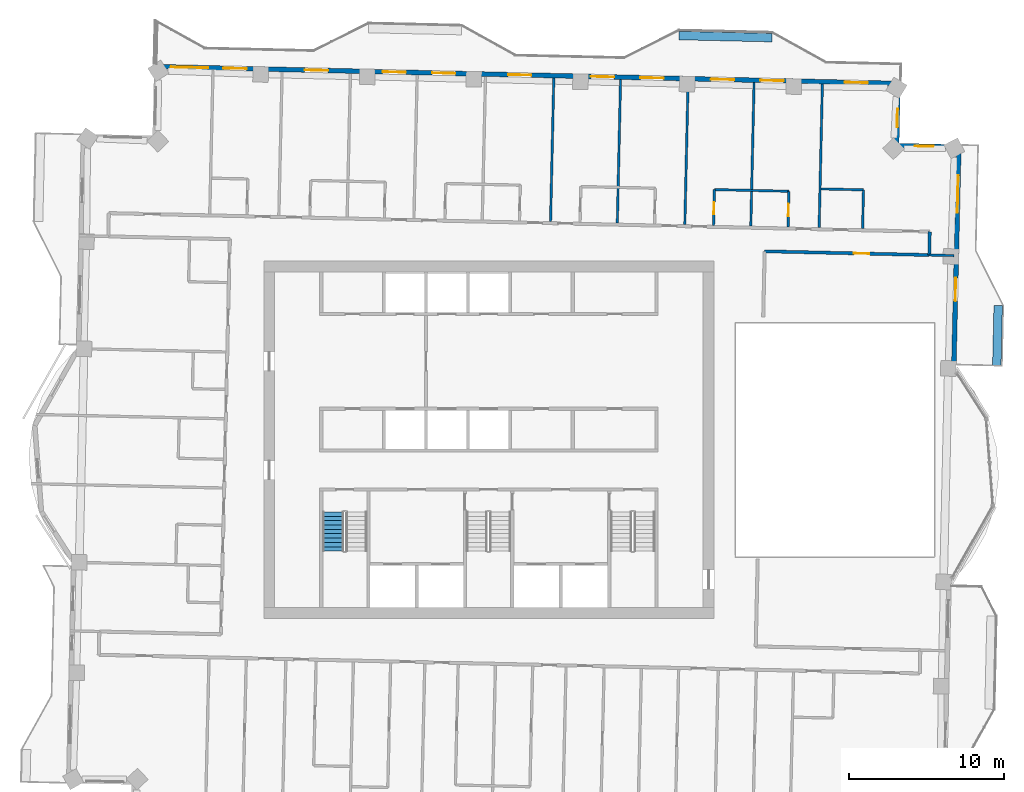
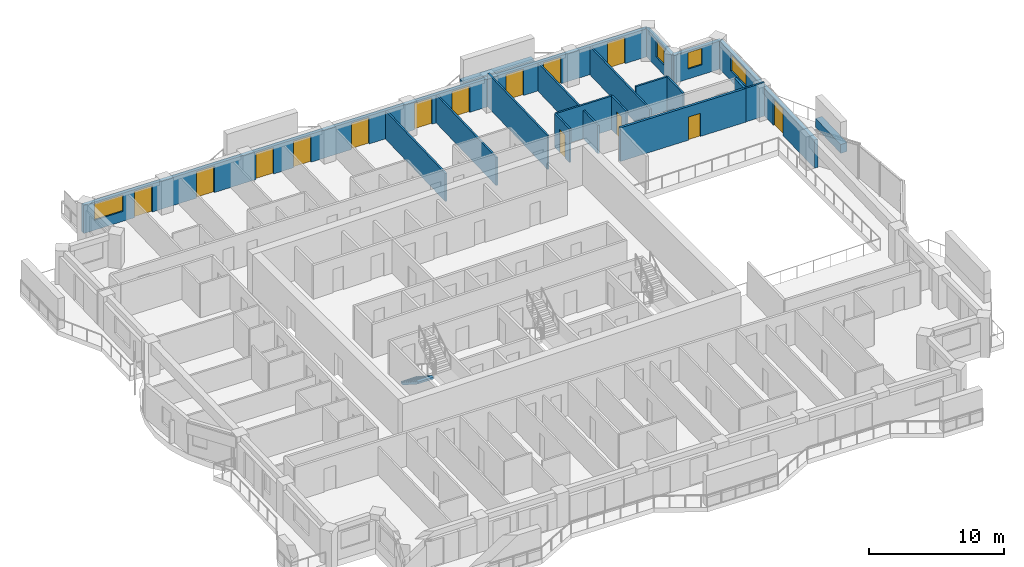
# One storey, part 12 of 17: 19 walls, 14 doors, 4 windows, 1 stair flight, 18 openings, 1 element without a shape of its own.
"""IFC4 building model written with IfcOpenShell, lengths in metres."""

from ifc_helpers import new_model, si_unit, direction, frame, frame_2d, origin, place, context, subcontext, project, spatial, polyline, rectangle, outline, extrude, material, layer, layer_set, type_object, element, fill, aggregate, save


model = new_model("IFC4")

# Units and contexts
model_context = context("Model", 3, precision=1e-05, world=origin(), true_north=direction((0.0, 1.0)))
body_context = subcontext(model_context, "Body", "Model", "MODEL_VIEW")
ifc_project = project(units=[si_unit("LENGTHUNIT", "METRE"), si_unit("AREAUNIT", "SQUARE_METRE"), si_unit("VOLUMEUNIT", "CUBIC_METRE"), si_unit("PLANEANGLEUNIT", "RADIAN"), si_unit("MASSUNIT", "GRAM", prefix="KILO")], contexts=[model_context])

# Site, building, storey
site_placement = place(None, origin())
site = spatial("IfcSite", under=ifc_project, at=site_placement, CompositionType="ELEMENT")
building_placement = place(site_placement, origin())
building = spatial("IfcBuilding", under=site, at=building_placement, Name="Mangrove Gate Tower", CompositionType="ELEMENT")
storey_placement = place(building_placement, frame((0.0, 0.0, 271.699951171875)))
storey = spatial("IfcBuildingStorey", under=building, at=storey_placement, Name="L69", CompositionType="ELEMENT", Elevation=271.699951171875)

# Wall, opening, door
ifc_material_1 = material(Name="Gypsum board on steel stud, EI 60", Category="steel")
ifc_layer_1 = layer(ifc_material_1, 0.199951171875)
ifc_layer_set_1 = layer_set([ifc_layer_1], Name="Corridor wall EI 60")
wall_type_1 = type_object("IfcWallType", Name="Corridor wall EI 60", PredefinedType="PARTITIONING", material=ifc_layer_set_1)
wall_1_placement = place(storey_placement, frame((17.7529296875, 12.136962890625, 0.0), z_axis=(0.0, 0.0, 1.0), x_axis=(0.999743663474, -0.022640833553, 0.0)))
wall_1 = element("IfcWall", 1, at=wall_1_placement, inside=storey, type_object=wall_type_1, Name="WALL-L69-053", PredefinedType="PARTITIONING", context=body_context, shape_type="SweptSolid", body=[
    extrude(rectangle(XDim=10.599853515625, YDim=0.199951171875, at=frame_2d((5.2998046875, 0.0))), origin(), (0.0, 0.0, 1.0), 3.050048828125),
])
opening_1_placement = place(wall_1_placement, frame((5.75, 0.0, 0.0)))
opening_1 = element("IfcOpeningElement", 2, at=opening_1_placement, cuts=wall_1, Name="Opening AD", PredefinedType="OPENING", context=body_context, shape_type="SweptSolid", body=[
    extrude(rectangle(XDim=1.0, YDim=2.10009765625, at=frame_2d((0.5, 1.050048828125))), frame((0.0, 0.10986328125, 0.0), z_axis=(0.0, -1.0, 0.0), x_axis=(1.0, 0.0, 0.0)), (0.0, 0.0, 1.0), 0.219970703125),
])
ifc_material_2 = material(Name="Timber door leaf", Category="wood")
door_type_1 = type_object("IfcDoorType", Name="Amenity door 1000", OperationType="SINGLE_SWING_LEFT", PredefinedType="DOOR", material=ifc_material_2)
door_1_placement = place(opening_1_placement, origin())
door_1 = element("IfcDoor", 3, at=door_1_placement, inside=storey, type_object=door_type_1, Name="DOOR-L69-GAM-c3a", OperationType="SINGLE_SWING_RIGHT", OverallHeight=2.10009765625, OverallWidth=1.0, PredefinedType="DOOR", context=body_context, shape_type="SweptSolid", body=[
    extrude(rectangle(XDim=1.0, YDim=2.10009765625, at=frame_2d((0.5, 1.050048828125))), frame((0.0, 0.02490234375, 0.0), z_axis=(0.0, -1.0, 0.0), x_axis=(1.0, 0.0, 0.0)), (0.0, 0.0, 1.0), 0.050048828125),
])
fill(opening_1, door_1)

# Wall
wall_2_placement = place(storey_placement, frame((28.35400390625, 11.89697265625, 0.0), z_axis=(0.0, 0.0, 1.0), x_axis=(0.022632637625, 0.99974384905, 0.0)))
element("IfcWall", 4, at=wall_2_placement, inside=storey, type_object=wall_type_1, Name="WALL-L69-055", PredefinedType="PARTITIONING", context=body_context, shape_type="SweptSolid", body=[
    extrude(rectangle(XDim=1.49951171875, YDim=0.199951171875, at=frame_2d((0.749755859375, 0.0))), origin(), (0.0, 0.0, 1.0), 3.050048828125),
])

# Wall, openings, door, window
ifc_material_3 = material(Name="Limestone", Category="masonry")
ifc_layer_2 = layer(ifc_material_3, 0.0400390625, Name="Limestone cladding")
ifc_material_4 = material(Name="Ventilated air gap")
ifc_layer_3 = layer(ifc_material_4, 0.0400390625, Name="Ventilated cavity")
ifc_material_5 = material(Name="Mineral wool insulation")
ifc_layer_4 = layer(ifc_material_5, 0.06005859375, Name="Insulation")
ifc_material_6 = material(Name="Breather membrane")
ifc_layer_5 = layer(ifc_material_6, 0.001953125, Name="Breather membrane")
ifc_material_7 = material(Name="Concrete C20/25 blockwork", Category="masonry")
ifc_layer_6 = layer(ifc_material_7, 0.14990234375, Name="Blockwork backing wall")
ifc_material_8 = material(Name="Gypsum plaster")
ifc_layer_7 = layer(ifc_material_8, 0.008056640625, Name="Internal plaster")
ifc_layer_set_2 = layer_set([ifc_layer_2, ifc_layer_3, ifc_layer_4, ifc_layer_5, ifc_layer_6, ifc_layer_7], Name="External wall 300 limestone cladding")
wall_type_2 = type_object("IfcWallType", Name="External wall 300 limestone cladding", PredefinedType="SOLIDWALL", material=ifc_layer_set_2)
wall_3_placement = place(storey_placement, frame((29.923095703125, 4.0849609375, 0.0), z_axis=(0.0, 0.0, 1.0), x_axis=(0.022738672774, 0.999741442954, 0.0)))
wall_3 = element("IfcWall", 5, at=wall_3_placement, inside=storey, type_object=wall_type_2, Name="WALL-L69-E2s1", PredefinedType="SOLIDWALL", context=body_context, shape_type="SweptSolid", body=[
    extrude(rectangle(XDim=14.77392578125, YDim=0.300048828125, at=frame_2d((7.386962890625, 0.0))), origin(), (0.0, 0.0, 1.0), 2.550048828125),
])
opening_2_placement = place(wall_3_placement, frame((4.85302734375, 0.0, 0.0)))
opening_2 = element("IfcOpeningElement", 6, at=opening_2_placement, cuts=wall_3, Name="Opening BD1", PredefinedType="OPENING", context=body_context, shape_type="SweptSolid", body=[
    extrude(rectangle(XDim=1.5, YDim=2.39990234375, at=frame_2d((0.75, 1.199951171875))), frame((0.0, 0.159912109375, 0.0), z_axis=(0.0, -1.0, 0.0), x_axis=(1.0, 0.0, 0.0)), (0.0, 0.0, 1.0), 0.320068359375),
])
opening_3_placement = place(wall_3_placement, frame((10.5380859375, 0.0, 0.89990234375)))
opening_3 = element("IfcOpeningElement", 7, at=opening_3_placement, cuts=wall_3, Name="Opening W2", PredefinedType="OPENING", context=body_context, shape_type="SweptSolid", body=[
    extrude(rectangle(XDim=2.39990234375, YDim=1.5, at=frame_2d((1.199951171875, 0.75))), frame((0.0, 0.159912109375, 0.0), z_axis=(0.0, -1.0, 0.0), x_axis=(1.0, 0.0, 0.0)), (0.0, 0.0, 1.0), 0.320068359375),
])
ifc_material_9 = material(Name="Aluminium frame with laminated clear glass", Category="aluminium")
door_type_2 = type_object("IfcDoorType", Name="Balcony sliding door 1500x2400", OperationType="SLIDING_TO_LEFT", PredefinedType="DOOR", material=ifc_material_9)
door_2_placement = place(opening_2_placement, origin())
door_2 = element("IfcDoor", 8, at=door_2_placement, inside=storey, type_object=door_type_2, Name="DOOR-L69-E2-1", OperationType="SLIDING_TO_LEFT", OverallHeight=2.39990234375, OverallWidth=1.5, PredefinedType="DOOR", context=body_context, shape_type="SweptSolid", body=[
    extrude(rectangle(XDim=1.5, YDim=2.39990234375, at=frame_2d((0.75, 1.199951171875))), frame((0.0, 0.02490234375, 0.0), z_axis=(0.0, -1.0, 0.0), x_axis=(1.0, 0.0, 0.0)), (0.0, 0.0, 1.0), 0.050048828125),
])
fill(opening_2, door_2)
ifc_material_10 = material(Name="Aluminium frame with double-glazed low-e glass", Category="aluminium")
window_type_1 = type_object("IfcWindowType", Name="Corner room window 2400x1500", PartitioningType="DOUBLE_PANEL_VERTICAL", PredefinedType="WINDOW", material=ifc_material_10)
window_1_placement = place(opening_3_placement, origin())
window_1 = element("IfcWindow", 9, at=window_1_placement, inside=storey, type_object=window_type_1, Name="WIN-L69-E2-2", OverallHeight=1.5, OverallWidth=2.39990234375, PartitioningType="DOUBLE_PANEL_VERTICAL", PredefinedType="WINDOW", context=body_context, shape_type="SweptSolid", body=[
    extrude(rectangle(XDim=2.39990234375, YDim=1.5, at=frame_2d((1.199951171875, 0.75))), frame((0.0, 0.030029296875, 0.0), z_axis=(0.0, -1.0, 0.0), x_axis=(1.0, 0.0, 0.0)), (0.0, 0.0, 1.0), 0.06005859375),
])
fill(opening_3, window_1)

# Wall, opening, window
wall_4_placement = place(storey_placement, frame((30.259033203125, 18.85498046875, 0.0), z_axis=(0.0, 0.0, 1.0), x_axis=(-0.999740826251, 0.022765770952, 0.0)))
wall_4 = element("IfcWall", 10, at=wall_4_placement, inside=storey, type_object=wall_type_2, Name="WALL-L69-N3", PredefinedType="SOLIDWALL", context=body_context, shape_type="SweptSolid", body=[
    extrude(rectangle(XDim=4.0, YDim=0.300048828125, at=frame_2d((2.0, 0.0))), origin(), (0.0, 0.0, 1.0), 2.550048828125),
])
opening_4_placement = place(wall_4_placement, frame((1.632080078125, 0.0, 0.89990234375)))
opening_4 = element("IfcOpeningElement", 11, at=opening_4_placement, cuts=wall_4, Name="Opening W1", PredefinedType="OPENING", context=body_context, shape_type="SweptSolid", body=[
    extrude(rectangle(XDim=1.199951171875, YDim=1.5, at=frame_2d((0.60009765625, 0.75))), frame((0.0, 0.159912109375, 0.0), z_axis=(0.0, -1.0, 0.0), x_axis=(1.0, 0.0, 0.0)), (0.0, 0.0, 1.0), 0.320068359375),
])
ifc_material_11 = material(Name="Aluminium frame with double-glazed low-e glass", Category="aluminium")
window_type_2 = type_object("IfcWindowType", Name="Side lite 1200x1500", PartitioningType="SINGLE_PANEL", PredefinedType="WINDOW", material=ifc_material_11)
window_2_placement = place(opening_4_placement, origin())
window_2 = element("IfcWindow", 12, at=window_2_placement, inside=storey, type_object=window_type_2, Name="WIN-L69-N3-1", OverallHeight=1.5, OverallWidth=1.199951171875, PartitioningType="SINGLE_PANEL", PredefinedType="WINDOW", context=body_context, shape_type="SweptSolid", body=[
    extrude(rectangle(XDim=1.199951171875, YDim=1.5, at=frame_2d((0.60009765625, 0.75))), frame((0.0, 0.030029296875, 0.0), z_axis=(0.0, -1.0, 0.0), x_axis=(1.0, 0.0, 0.0)), (0.0, 0.0, 1.0), 0.06005859375),
])
fill(opening_4, window_2)

wall_5_placement = place(storey_placement, frame((26.260009765625, 18.946044921875, 0.0), z_axis=(0.0, 0.0, 1.0), x_axis=(0.022521758502, 0.999746353029, 0.0)))
wall_5 = element("IfcWall", 13, at=wall_5_placement, inside=storey, type_object=wall_type_2, Name="WALL-L69-E4", PredefinedType="SOLIDWALL", context=body_context, shape_type="SweptSolid", body=[
    extrude(rectangle(XDim=4.0, YDim=0.300048828125, at=frame_2d((2.0, 0.0))), origin(), (0.0, 0.0, 1.0), 2.550048828125),
])
opening_5_placement = place(wall_5_placement, frame((1.1689453125, 0.0, 0.89990234375)))
opening_5 = element("IfcOpeningElement", 14, at=opening_5_placement, cuts=wall_5, Name="Opening W1", PredefinedType="OPENING", context=body_context, shape_type="SweptSolid", body=[
    extrude(rectangle(XDim=1.199951171875, YDim=1.5, at=frame_2d((0.60009765625, 0.75))), frame((0.0, 0.159912109375, 0.0), z_axis=(0.0, -1.0, 0.0), x_axis=(1.0, 0.0, 0.0)), (0.0, 0.0, 1.0), 0.320068359375),
])
window_3_placement = place(opening_5_placement, origin())
window_3 = element("IfcWindow", 15, at=window_3_placement, inside=storey, type_object=window_type_2, Name="WIN-L69-E4-1", OverallHeight=1.5, OverallWidth=1.199951171875, PartitioningType="SINGLE_PANEL", PredefinedType="WINDOW", context=body_context, shape_type="SweptSolid", body=[
    extrude(rectangle(XDim=1.199951171875, YDim=1.5, at=frame_2d((0.60009765625, 0.75))), frame((0.0, 0.030029296875, 0.0), z_axis=(0.0, -1.0, 0.0), x_axis=(1.0, 0.0, 0.0)), (0.0, 0.0, 1.0), 0.06005859375),
])
fill(opening_5, window_3)

# Wall, openings, doors, window
wall_6_placement = place(storey_placement, frame((26.35009765625, 22.945068359375, 0.0), z_axis=(0.0, 0.0, 1.0), x_axis=(-0.999742523712, 0.022691105788, 0.0)))
wall_6 = element("IfcWall", 16, at=wall_6_placement, inside=storey, type_object=wall_type_2, Name="WALL-L69-N5", PredefinedType="SOLIDWALL", context=body_context, shape_type="SweptSolid", body=[
    extrude(rectangle(XDim=47.771240234375, YDim=0.300048828125, at=frame_2d((23.8857421875, 0.0))), origin(), (0.0, 0.0, 1.0), 2.550048828125),
])
opening_6_placement = place(wall_6_placement, frame((1.9541015625, 0.0, 0.0)))
opening_6 = element("IfcOpeningElement", 17, at=opening_6_placement, cuts=wall_6, Name="Opening BD1", PredefinedType="OPENING", context=body_context, shape_type="SweptSolid", body=[
    extrude(rectangle(XDim=1.5, YDim=2.39990234375, at=frame_2d((0.75, 1.199951171875))), frame((0.0, 0.159912109375, 0.0), z_axis=(0.0, -1.0, 0.0), x_axis=(1.0, 0.0, 0.0)), (0.0, 0.0, 1.0), 0.320068359375),
])
opening_7_placement = place(wall_6_placement, frame((7.3701171875, 0.0, 0.0)))
opening_7 = element("IfcOpeningElement", 18, at=opening_7_placement, cuts=wall_6, Name="Opening BD1", PredefinedType="OPENING", context=body_context, shape_type="SweptSolid", body=[
    extrude(rectangle(XDim=1.5, YDim=2.39990234375, at=frame_2d((0.75, 1.199951171875))), frame((0.0, 0.159912109375, 0.0), z_axis=(0.0, -1.0, 0.0), x_axis=(1.0, 0.0, 0.0)), (0.0, 0.0, 1.0), 0.320068359375),
])
opening_8_placement = place(wall_6_placement, frame((10.553955078125, 0.0, 0.0)))
opening_8 = element("IfcOpeningElement", 19, at=opening_8_placement, cuts=wall_6, Name="Opening BD1", PredefinedType="OPENING", context=body_context, shape_type="SweptSolid", body=[
    extrude(rectangle(XDim=1.5, YDim=2.39990234375, at=frame_2d((0.75, 1.199951171875))), frame((0.0, 0.159912109375, 0.0), z_axis=(0.0, -1.0, 0.0), x_axis=(1.0, 0.0, 0.0)), (0.0, 0.0, 1.0), 0.320068359375),
])
opening_9_placement = place(wall_6_placement, frame((15.10400390625, 0.0, 0.0)))
opening_9 = element("IfcOpeningElement", 20, at=opening_9_placement, cuts=wall_6, Name="Opening BD1", PredefinedType="OPENING", context=body_context, shape_type="SweptSolid", body=[
    extrude(rectangle(XDim=1.5, YDim=2.39990234375, at=frame_2d((0.75, 1.199951171875))), frame((0.0, 0.159912109375, 0.0), z_axis=(0.0, -1.0, 0.0), x_axis=(1.0, 0.0, 0.0)), (0.0, 0.0, 1.0), 0.320068359375),
])
opening_10_placement = place(wall_6_placement, frame((18.287109375, 0.0, 0.0)))
opening_10 = element("IfcOpeningElement", 21, at=opening_10_placement, cuts=wall_6, Name="Opening BD1", PredefinedType="OPENING", context=body_context, shape_type="SweptSolid", body=[
    extrude(rectangle(XDim=1.5, YDim=2.39990234375, at=frame_2d((0.75, 1.199951171875))), frame((0.0, 0.159912109375, 0.0), z_axis=(0.0, -1.0, 0.0), x_axis=(1.0, 0.0, 0.0)), (0.0, 0.0, 1.0), 0.320068359375),
])
opening_11_placement = place(wall_6_placement, frame((23.6220703125, 0.0, 0.0)))
opening_11 = element("IfcOpeningElement", 22, at=opening_11_placement, cuts=wall_6, Name="Opening BD1", PredefinedType="OPENING", context=body_context, shape_type="SweptSolid", body=[
    extrude(rectangle(XDim=1.5, YDim=2.39990234375, at=frame_2d((0.75, 1.199951171875))), frame((0.0, 0.159912109375, 0.0), z_axis=(0.0, -1.0, 0.0), x_axis=(1.0, 0.0, 0.0)), (0.0, 0.0, 1.0), 0.320068359375),
])
opening_12_placement = place(wall_6_placement, frame((28.52099609375, 0.0, 0.0)))
opening_12 = element("IfcOpeningElement", 23, at=opening_12_placement, cuts=wall_6, Name="Opening BD1", PredefinedType="OPENING", context=body_context, shape_type="SweptSolid", body=[
    extrude(rectangle(XDim=1.5, YDim=2.39990234375, at=frame_2d((0.75, 1.199951171875))), frame((0.0, 0.159912109375, 0.0), z_axis=(0.0, -1.0, 0.0), x_axis=(1.0, 0.0, 0.0)), (0.0, 0.0, 1.0), 0.320068359375),
])
opening_13_placement = place(wall_6_placement, frame((31.705078125, 0.0, 0.0)))
opening_13 = element("IfcOpeningElement", 24, at=opening_13_placement, cuts=wall_6, Name="Opening BD1", PredefinedType="OPENING", context=body_context, shape_type="SweptSolid", body=[
    extrude(rectangle(XDim=1.5, YDim=2.39990234375, at=frame_2d((0.75, 1.199951171875))), frame((0.0, 0.159912109375, 0.0), z_axis=(0.0, -1.0, 0.0), x_axis=(1.0, 0.0, 0.0)), (0.0, 0.0, 1.0), 0.320068359375),
])
opening_14_placement = place(wall_6_placement, frame((36.721923828125, 0.0, 0.0)))
opening_14 = element("IfcOpeningElement", 25, at=opening_14_placement, cuts=wall_6, Name="Opening BD1", PredefinedType="OPENING", context=body_context, shape_type="SweptSolid", body=[
    extrude(rectangle(XDim=1.5, YDim=2.39990234375, at=frame_2d((0.75, 1.199951171875))), frame((0.0, 0.159912109375, 0.0), z_axis=(0.0, -1.0, 0.0), x_axis=(1.0, 0.0, 0.0)), (0.0, 0.0, 1.0), 0.320068359375),
])
opening_15_placement = place(wall_6_placement, frame((41.962890625, 0.0, 0.0)))
opening_15 = element("IfcOpeningElement", 26, at=opening_15_placement, cuts=wall_6, Name="Opening BD1", PredefinedType="OPENING", context=body_context, shape_type="SweptSolid", body=[
    extrude(rectangle(XDim=1.5, YDim=2.39990234375, at=frame_2d((0.75, 1.199951171875))), frame((0.0, 0.159912109375, 0.0), z_axis=(0.0, -1.0, 0.0), x_axis=(1.0, 0.0, 0.0)), (0.0, 0.0, 1.0), 0.320068359375),
])
opening_16_placement = place(wall_6_placement, frame((44.43603515625, 0.0, 0.89990234375)))
opening_16 = element("IfcOpeningElement", 27, at=opening_16_placement, cuts=wall_6, Name="Opening W2", PredefinedType="OPENING", context=body_context, shape_type="SweptSolid", body=[
    extrude(rectangle(XDim=2.39990234375, YDim=1.5, at=frame_2d((1.199951171875, 0.75))), frame((0.0, 0.159912109375, 0.0), z_axis=(0.0, -1.0, 0.0), x_axis=(1.0, 0.0, 0.0)), (0.0, 0.0, 1.0), 0.320068359375),
])
door_3_placement = place(opening_6_placement, origin())
door_3 = element("IfcDoor", 28, at=door_3_placement, inside=storey, type_object=door_type_2, Name="DOOR-L69-N5-1", OperationType="SLIDING_TO_LEFT", OverallHeight=2.39990234375, OverallWidth=1.5, PredefinedType="DOOR", context=body_context, shape_type="SweptSolid", body=[
    extrude(rectangle(XDim=1.5, YDim=2.39990234375, at=frame_2d((0.75, 1.199951171875))), frame((0.0, 0.02490234375, 0.0), z_axis=(0.0, -1.0, 0.0), x_axis=(1.0, 0.0, 0.0)), (0.0, 0.0, 1.0), 0.050048828125),
])
fill(opening_6, door_3)
door_4_placement = place(opening_7_placement, origin())
door_4 = element("IfcDoor", 29, at=door_4_placement, inside=storey, type_object=door_type_2, Name="DOOR-L69-N5-2", OperationType="SLIDING_TO_LEFT", OverallHeight=2.39990234375, OverallWidth=1.5, PredefinedType="DOOR", context=body_context, shape_type="SweptSolid", body=[
    extrude(rectangle(XDim=1.5, YDim=2.39990234375, at=frame_2d((0.75, 1.199951171875))), frame((0.0, 0.02490234375, 0.0), z_axis=(0.0, -1.0, 0.0), x_axis=(1.0, 0.0, 0.0)), (0.0, 0.0, 1.0), 0.050048828125),
])
fill(opening_7, door_4)
door_5_placement = place(opening_8_placement, origin())
door_5 = element("IfcDoor", 30, at=door_5_placement, inside=storey, type_object=door_type_2, Name="DOOR-L69-N5-3", OperationType="SLIDING_TO_LEFT", OverallHeight=2.39990234375, OverallWidth=1.5, PredefinedType="DOOR", context=body_context, shape_type="SweptSolid", body=[
    extrude(rectangle(XDim=1.5, YDim=2.39990234375, at=frame_2d((0.75, 1.199951171875))), frame((0.0, 0.02490234375, 0.0), z_axis=(0.0, -1.0, 0.0), x_axis=(1.0, 0.0, 0.0)), (0.0, 0.0, 1.0), 0.050048828125),
])
fill(opening_8, door_5)
door_6_placement = place(opening_9_placement, origin())
door_6 = element("IfcDoor", 31, at=door_6_placement, inside=storey, type_object=door_type_2, Name="DOOR-L69-N5-4", OperationType="SLIDING_TO_LEFT", OverallHeight=2.39990234375, OverallWidth=1.5, PredefinedType="DOOR", context=body_context, shape_type="SweptSolid", body=[
    extrude(rectangle(XDim=1.5, YDim=2.39990234375, at=frame_2d((0.75, 1.199951171875))), frame((0.0, 0.02490234375, 0.0), z_axis=(0.0, -1.0, 0.0), x_axis=(1.0, 0.0, 0.0)), (0.0, 0.0, 1.0), 0.050048828125),
])
fill(opening_9, door_6)
door_7_placement = place(opening_10_placement, origin())
door_7 = element("IfcDoor", 32, at=door_7_placement, inside=storey, type_object=door_type_2, Name="DOOR-L69-N5-5", OperationType="SLIDING_TO_LEFT", OverallHeight=2.39990234375, OverallWidth=1.5, PredefinedType="DOOR", context=body_context, shape_type="SweptSolid", body=[
    extrude(rectangle(XDim=1.5, YDim=2.39990234375, at=frame_2d((0.75, 1.199951171875))), frame((0.0, 0.02490234375, 0.0), z_axis=(0.0, -1.0, 0.0), x_axis=(1.0, 0.0, 0.0)), (0.0, 0.0, 1.0), 0.050048828125),
])
fill(opening_10, door_7)
door_8_placement = place(opening_11_placement, origin())
door_8 = element("IfcDoor", 33, at=door_8_placement, inside=storey, type_object=door_type_2, Name="DOOR-L69-N5-6", OperationType="SLIDING_TO_LEFT", OverallHeight=2.39990234375, OverallWidth=1.5, PredefinedType="DOOR", context=body_context, shape_type="SweptSolid", body=[
    extrude(rectangle(XDim=1.5, YDim=2.39990234375, at=frame_2d((0.75, 1.199951171875))), frame((0.0, 0.02490234375, 0.0), z_axis=(0.0, -1.0, 0.0), x_axis=(1.0, 0.0, 0.0)), (0.0, 0.0, 1.0), 0.050048828125),
])
fill(opening_11, door_8)
door_9_placement = place(opening_12_placement, origin())
door_9 = element("IfcDoor", 34, at=door_9_placement, inside=storey, type_object=door_type_2, Name="DOOR-L69-N5-7", OperationType="SLIDING_TO_LEFT", OverallHeight=2.39990234375, OverallWidth=1.5, PredefinedType="DOOR", context=body_context, shape_type="SweptSolid", body=[
    extrude(rectangle(XDim=1.5, YDim=2.39990234375, at=frame_2d((0.75, 1.199951171875))), frame((0.0, 0.02490234375, 0.0), z_axis=(0.0, -1.0, 0.0), x_axis=(1.0, 0.0, 0.0)), (0.0, 0.0, 1.0), 0.050048828125),
])
fill(opening_12, door_9)
door_10_placement = place(opening_13_placement, origin())
door_10 = element("IfcDoor", 35, at=door_10_placement, inside=storey, type_object=door_type_2, Name="DOOR-L69-N5-8", OperationType="SLIDING_TO_LEFT", OverallHeight=2.39990234375, OverallWidth=1.5, PredefinedType="DOOR", context=body_context, shape_type="SweptSolid", body=[
    extrude(rectangle(XDim=1.5, YDim=2.39990234375, at=frame_2d((0.75, 1.199951171875))), frame((0.0, 0.02490234375, 0.0), z_axis=(0.0, -1.0, 0.0), x_axis=(1.0, 0.0, 0.0)), (0.0, 0.0, 1.0), 0.050048828125),
])
fill(opening_13, door_10)
door_11_placement = place(opening_14_placement, origin())
door_11 = element("IfcDoor", 36, at=door_11_placement, inside=storey, type_object=door_type_2, Name="DOOR-L69-N5-9", OperationType="SLIDING_TO_LEFT", OverallHeight=2.39990234375, OverallWidth=1.5, PredefinedType="DOOR", context=body_context, shape_type="SweptSolid", body=[
    extrude(rectangle(XDim=1.5, YDim=2.39990234375, at=frame_2d((0.75, 1.199951171875))), frame((0.0, 0.02490234375, 0.0), z_axis=(0.0, -1.0, 0.0), x_axis=(1.0, 0.0, 0.0)), (0.0, 0.0, 1.0), 0.050048828125),
])
fill(opening_14, door_11)
door_12_placement = place(opening_15_placement, origin())
door_12 = element("IfcDoor", 37, at=door_12_placement, inside=storey, type_object=door_type_2, Name="DOOR-L69-N5-10", OperationType="SLIDING_TO_LEFT", OverallHeight=2.39990234375, OverallWidth=1.5, PredefinedType="DOOR", context=body_context, shape_type="SweptSolid", body=[
    extrude(rectangle(XDim=1.5, YDim=2.39990234375, at=frame_2d((0.75, 1.199951171875))), frame((0.0, 0.02490234375, 0.0), z_axis=(0.0, -1.0, 0.0), x_axis=(1.0, 0.0, 0.0)), (0.0, 0.0, 1.0), 0.050048828125),
])
fill(opening_15, door_12)
window_4_placement = place(opening_16_placement, origin())
window_4 = element("IfcWindow", 38, at=window_4_placement, inside=storey, type_object=window_type_1, Name="WIN-L69-N5-11", OverallHeight=1.5, OverallWidth=2.39990234375, PartitioningType="DOUBLE_PANEL_VERTICAL", PredefinedType="WINDOW", context=body_context, shape_type="SweptSolid", body=[
    extrude(rectangle(XDim=2.39990234375, YDim=1.5, at=frame_2d((1.199951171875, 0.75))), frame((0.0, 0.030029296875, 0.0), z_axis=(0.0, -1.0, 0.0), x_axis=(1.0, 0.0, 0.0)), (0.0, 0.0, 1.0), 0.06005859375),
])
fill(opening_16, window_4)

# Walls
ifc_material_12 = material(Name="Gypsum board on steel stud, EI 60", Category="steel")
ifc_layer_8 = layer(ifc_material_12, 0.14990234375)
ifc_layer_set_3 = layer_set([ifc_layer_8], Name="Party wall 150 EI 60")
wall_type_3 = type_object("IfcWallType", Name="Party wall 150 EI 60", PredefinedType="PARTITIONING", material=ifc_layer_set_3)
wall_7_placement = place(storey_placement, frame((28.35009765625, 11.89697265625, 0.0), z_axis=(0.0, 0.0, 1.0), x_axis=(0.999734618493, -0.023036765969, 0.0)))
element("IfcWall", 39, at=wall_7_placement, inside=storey, type_object=wall_type_3, Name="WALL-L69-054", PredefinedType="PARTITIONING", context=body_context, shape_type="SweptSolid", body=[
    extrude(rectangle(XDim=1.600341796875, YDim=0.14990234375, at=frame_2d((0.80029296875, 0.0))), origin(), (0.0, 0.0, 1.0), 3.050048828125),
])
for number, where, z_axis, x_axis, name in (
    (40, (3.967041015625, 14.050048828125, 0.0), (0.0, 0.0, 1.0), (0.022697424684, 0.999742380272, 0.0), "WALL-L69-067"),
    (41, (8.26611328125, 13.952880859375, 0.0), (0.0, 0.0, 1.0), (0.022697424684, 0.999742380272, 0.0), "WALL-L69-069"),
):
    element("IfcWall", number, at=place(storey_placement, frame(where, z_axis=z_axis, x_axis=x_axis)), inside=storey, type_object=wall_type_3, Name=name, PredefinedType="PARTITIONING", context=body_context, shape_type="SweptSolid", body=[
        extrude(rectangle(XDim=9.25048828125, YDim=0.14990234375, at=frame_2d((4.625244140625, 0.0))), origin(), (0.0, 0.0, 1.0), 2.550048828125),
    ])
wall_8_placement = place(storey_placement, frame((12.614990234375, 13.85400390625, 0.0), z_axis=(0.0, 0.0, 1.0), x_axis=(0.022591909275, 0.999744770247, 0.0)))
element("IfcWall", 42, at=wall_8_placement, inside=storey, type_object=wall_type_3, Name="WALL-L69-071", PredefinedType="PARTITIONING", context=body_context, shape_type="SweptSolid", body=[
    extrude(rectangle(XDim=9.25048828125, YDim=0.14990234375, at=frame_2d((4.625244140625, 0.0))), origin(), (0.0, 0.0, 1.0), 3.050048828125),
])

# Wall, opening, door
wall_9_placement = place(storey_placement, frame((14.464111328125, 13.81201171875, 0.0), z_axis=(0.0, 0.0, 1.0), x_axis=(0.022603288534, 0.999744513037, 0.0)))
wall_9 = element("IfcWall", 43, at=wall_9_placement, inside=storey, type_object=wall_type_3, Name="WALL-L69-072", PredefinedType="PARTITIONING", context=body_context, shape_type="SweptSolid", body=[
    extrude(rectangle(XDim=2.300537109375, YDim=0.14990234375, at=frame_2d((1.150390625, 0.0))), origin(), (0.0, 0.0, 1.0), 3.050048828125),
])
opening_17_placement = place(wall_9_placement, frame((0.699951171875, 0.0, 0.0)))
opening_17 = element("IfcOpeningElement", 44, at=opening_17_placement, cuts=wall_9, Name="Opening ED", PredefinedType="OPENING", context=body_context, shape_type="SweptSolid", body=[
    extrude(rectangle(XDim=0.800048828125, YDim=2.10009765625, at=frame_2d((0.39990234375, 1.050048828125))), frame((0.0, 0.0849609375, 0.0), z_axis=(0.0, -1.0, 0.0), x_axis=(1.0, 0.0, 0.0)), (0.0, 0.0, 1.0), 0.169921875),
])
ifc_material_13 = material(Name="Timber door leaf", Category="wood")
door_type_3 = type_object("IfcDoorType", Name="En-suite door 800", OperationType="SINGLE_SWING_LEFT", PredefinedType="DOOR", material=ifc_material_13)
door_13_placement = place(opening_17_placement, origin())
door_13 = element("IfcDoor", 45, at=door_13_placement, inside=storey, type_object=door_type_3, Name="DOOR-L69-ENS-c310", OperationType="SINGLE_SWING_RIGHT", OverallHeight=2.10009765625, OverallWidth=0.800048828125, PredefinedType="DOOR", context=body_context, shape_type="SweptSolid", body=[
    extrude(rectangle(XDim=0.800048828125, YDim=2.10009765625, at=frame_2d((0.39990234375, 1.050048828125))), frame((0.0, 0.02490234375, 0.0), z_axis=(0.0, -1.0, 0.0), x_axis=(1.0, 0.0, 0.0)), (0.0, 0.0, 1.0), 0.050048828125),
])
fill(opening_17, door_13)

# Wall
wall_10_placement = place(storey_placement, frame((16.863037109375, 13.758056640625, 0.0), z_axis=(0.0, 0.0, 1.0), x_axis=(0.0227004195, 0.999742312276, 0.0)))
element("IfcWall", 46, at=wall_10_placement, inside=storey, type_object=wall_type_3, Name="WALL-L69-073", PredefinedType="PARTITIONING", context=body_context, shape_type="SweptSolid", body=[
    extrude(rectangle(XDim=9.249267578125, YDim=0.14990234375, at=frame_2d((4.62451171875, 0.0))), origin(), (0.0, 0.0, 1.0), 2.550048828125),
])

# Wall, opening, door
wall_11_placement = place(storey_placement, frame((19.262939453125, 13.702880859375, 0.0), z_axis=(0.0, 0.0, 1.0), x_axis=(0.022603288534, 0.999744513037, 0.0)))
wall_11 = element("IfcWall", 47, at=wall_11_placement, inside=storey, type_object=wall_type_3, Name="WALL-L69-074", PredefinedType="PARTITIONING", context=body_context, shape_type="SweptSolid", body=[
    extrude(rectangle(XDim=2.300537109375, YDim=0.14990234375, at=frame_2d((1.150390625, 0.0))), origin(), (0.0, 0.0, 1.0), 3.050048828125),
])
opening_18_placement = place(wall_11_placement, frame((0.699951171875, 0.0, 0.0)))
opening_18 = element("IfcOpeningElement", 48, at=opening_18_placement, cuts=wall_11, Name="Opening ED", PredefinedType="OPENING", context=body_context, shape_type="SweptSolid", body=[
    extrude(rectangle(XDim=0.800048828125, YDim=2.10009765625, at=frame_2d((0.39990234375, 1.050048828125))), frame((0.0, 0.0849609375, 0.0), z_axis=(0.0, -1.0, 0.0), x_axis=(1.0, 0.0, 0.0)), (0.0, 0.0, 1.0), 0.169921875),
])
door_14_placement = place(opening_18_placement, origin())
door_14 = element("IfcDoor", 49, at=door_14_placement, inside=storey, type_object=door_type_3, Name="DOOR-L69-ENS-c309", OperationType="SINGLE_SWING_LEFT", OverallHeight=2.10009765625, OverallWidth=0.800048828125, PredefinedType="DOOR", context=body_context, shape_type="SweptSolid", body=[
    extrude(rectangle(XDim=0.800048828125, YDim=2.10009765625, at=frame_2d((0.39990234375, 1.050048828125))), frame((0.0, 0.02490234375, 0.0), z_axis=(0.0, -1.0, 0.0), x_axis=(1.0, 0.0, 0.0)), (0.0, 0.0, 1.0), 0.050048828125),
])
fill(opening_18, door_14)

# Walls
wall_12_placement = place(storey_placement, frame((21.261962890625, 13.657958984375, 0.0), z_axis=(0.0, 0.0, 1.0), x_axis=(0.022697424684, 0.999742380272, 0.0)))
element("IfcWall", 50, at=wall_12_placement, inside=storey, type_object=wall_type_3, Name="WALL-L69-075", PredefinedType="PARTITIONING", context=body_context, shape_type="SweptSolid", body=[
    extrude(rectangle(XDim=9.25048828125, YDim=0.14990234375, at=frame_2d((4.625244140625, 0.0))), origin(), (0.0, 0.0, 1.0), 2.550048828125),
])
wall_13_placement = place(storey_placement, frame((24.06201171875, 13.593994140625, 0.0), z_axis=(0.0, 0.0, 1.0), x_axis=(0.022357691225, 0.99975003558, 0.0)))
element("IfcWall", 51, at=wall_13_placement, inside=storey, type_object=wall_type_3, Name="WALL-L69-076", PredefinedType="PARTITIONING", context=body_context, shape_type="SweptSolid", body=[
    extrude(rectangle(XDim=2.500732421875, YDim=0.14990234375, at=frame_2d((1.25048828125, 0.0))), origin(), (0.0, 0.0, 1.0), 3.050048828125),
])
wall_14_placement = place(storey_placement, frame((14.52001953125, 16.111083984375, 0.0), z_axis=(0.0, 0.0, 1.0), x_axis=(0.999746149754, -0.022530780096, 0.0)))
element("IfcWall", 52, at=wall_14_placement, inside=storey, type_object=wall_type_3, Name="WALL-L69-081", PredefinedType="PARTITIONING", context=body_context, shape_type="SweptSolid", body=[
    extrude(rectangle(XDim=4.80029296875, YDim=0.14990234375, at=frame_2d((2.400146484375, 0.0))), origin(), (0.0, 0.0, 1.0), 3.050048828125),
])
wall_15_placement = place(storey_placement, frame((21.39794921875, 16.155029296875, 0.0), z_axis=(0.0, 0.0, 1.0), x_axis=(0.999749092391, -0.022399827308, 0.0)))
element("IfcWall", 53, at=wall_15_placement, inside=storey, type_object=wall_type_3, Name="WALL-L69-082", PredefinedType="PARTITIONING", context=body_context, shape_type="SweptSolid", body=[
    extrude(rectangle(XDim=2.724853515625, YDim=0.14990234375, at=frame_2d((1.3623046875, 0.0))), origin(), (0.0, 0.0, 1.0), 3.050048828125),
])
ifc_material_14 = material(Name="Concrete C32/40", Category="concrete")
ifc_layer_9 = layer(ifc_material_14, 0.199951171875, Name="Planter trough wall")
ifc_material_15 = material(Name="Bituminous waterproofing membrane")
ifc_layer_10 = layer(ifc_material_15, 0.0048828125, Name="Waterproofing")
ifc_material_16 = material(Name="Drainage board and gravel")
ifc_layer_11 = layer(ifc_material_16, 0.044921875, Name="Drainage layer")
ifc_material_17 = material(Name="Planting soil")
ifc_layer_12 = layer(ifc_material_17, 0.300048828125, Name="Growing medium")
ifc_layer_set_4 = layer_set([ifc_layer_9, ifc_layer_10, ifc_layer_11, ifc_layer_12], Name="Planter wall 550 C32/40")
wall_type_4 = type_object("IfcWallType", Name="Planter wall 550 C32/40", PredefinedType="USERDEFINED", material=ifc_layer_set_4)
wall_16_placement = place(storey_placement, frame((32.705078125, 4.77099609375, 0.0), z_axis=(0.0, 0.0, 1.0), x_axis=(0.022681332769, 0.999742745482, 0.0)))
element("IfcWall", 54, at=wall_16_placement, inside=storey, type_object=wall_type_4, Name="PLANTER L69 E1.1", ObjectType="PLANTER", PredefinedType="USERDEFINED", context=body_context, shape_type="SweptSolid", body=[
    extrude(rectangle(XDim=3.875, YDim=0.550048828125, at=frame_2d((1.9375, 0.0))), origin(), (0.0, 0.0, 1.0), 0.800048828125),
])
wall_17_placement = place(storey_placement, frame((12.23095703125, 26.031005859375, 0.0), z_axis=(0.0, 0.0, 1.0), x_axis=(0.999743094499, -0.022665943652, 0.0)))
element("IfcWall", 55, at=wall_17_placement, inside=storey, type_object=wall_type_4, Name="PLANTER L69 N0.1", ObjectType="PLANTER", PredefinedType="USERDEFINED", context=body_context, shape_type="SweptSolid", body=[
    extrude(rectangle(XDim=5.99951171875, YDim=0.550048828125, at=frame_2d((2.999755859375, 0.0))), origin(), (0.0, 0.0, 1.0), 0.800048828125),
])

# Stair, stair flight
ifc_material_18 = material(Name="Concrete C40/50", Category="concrete")
stair_type = type_object("IfcStairType", Name="Core stair 1350", PredefinedType="HALF_TURN_STAIR", material=ifc_material_18)
stair_placement = place(storey_placement, origin())
stair = element("IfcStair", 56, at=stair_placement, inside=storey, type_object=stair_type, Name="L69 Stair 1", PredefinedType="HALF_TURN_STAIR")
ifc_material_19 = material(Name="Concrete C40/50", Category="concrete")
stair_flight_type = type_object("IfcStairFlightType", Name="Core stair flight 1350", PredefinedType="STRAIGHT", material=ifc_material_19)
stair_flight_placement = place(storey_placement, frame((-10.02490234375, -4.64990234375, 0.0), z_axis=(0.0, 0.0, 1.0), x_axis=(0.0, -1.0, 0.0)))
stair_flight = element("IfcStairFlight", 57, at=stair_flight_placement, type_object=stair_flight_type, Name="ST1 flight 1", NumberOfRisers=10, NumberOfTreads=9, PredefinedType="STRAIGHT", RiserHeight=0.18, TreadLength=0.28, context=body_context, shape_type="SweptSolid", body=[
    extrude(outline(polyline([(0.0, 0.0), (0.0, 0.179931640625), (0.280029296875, 0.179931640625), (0.280029296875, 0.360107421875), (0.56005859375, 0.360107421875), (0.56005859375, 0.5400390625), (0.840087890625, 0.5400390625), (0.840087890625, 0.719970703125), (1.1201171875, 0.719970703125), (1.1201171875, 0.89990234375), (1.39990234375, 0.89990234375), (1.39990234375, 1.080078125), (1.679931640625, 1.080078125), (1.679931640625, 1.260009765625), (1.9599609375, 1.260009765625), (1.9599609375, 1.43994140625), (2.239990234375, 1.43994140625), (2.239990234375, 1.6201171875), (2.52001953125, 1.6201171875), (2.52001953125, 1.800048828125), (2.52001953125, 1.44189453125), (0.277099609375, 0.0), (0.0, 0.0)])), frame((0.0, 0.675048828125, 0.0), z_axis=(0.0, -1.0, 0.0), x_axis=(1.0, 0.0, 0.0)), (0.0, 0.0, 1.0), 1.35009765625),
])
aggregate(stair, [stair_flight])

save(model, "model.ifc")
